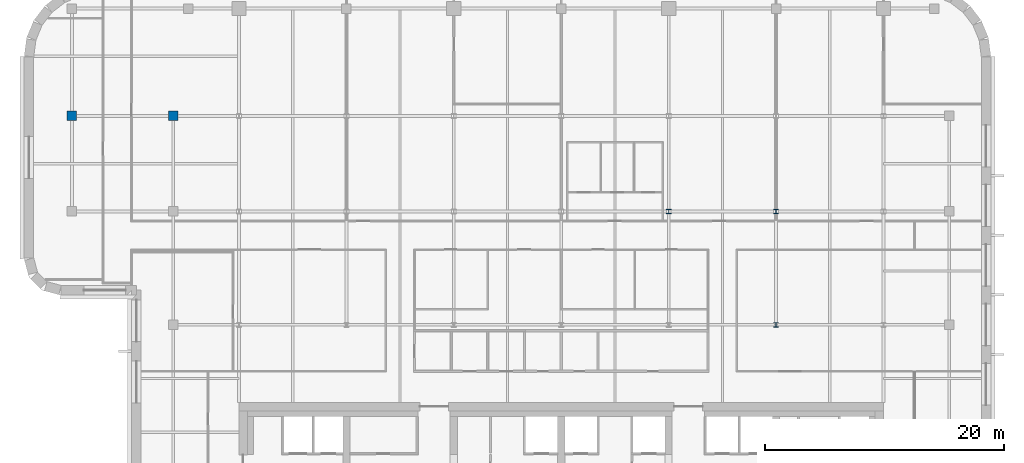
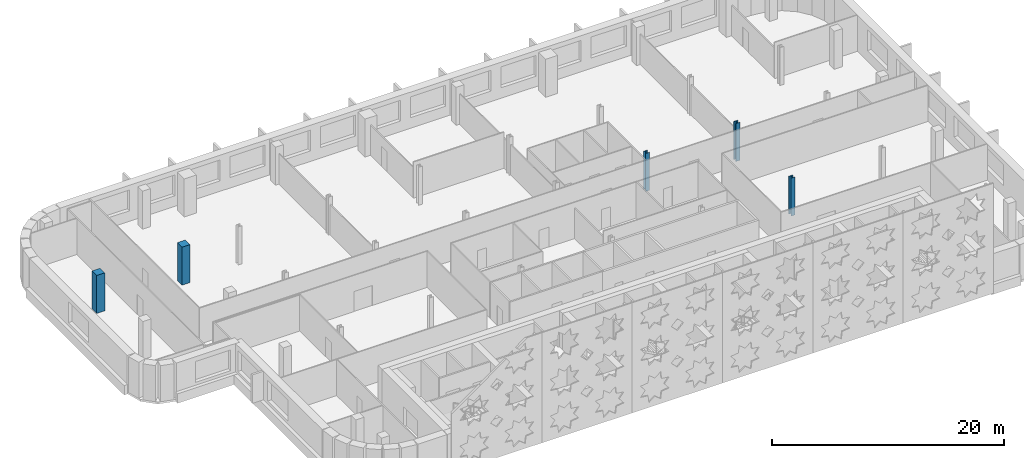
# One storey, part 2 of 17: 5 columns.
"""IFC4 building model written with IfcOpenShell, lengths in metres."""

from ifc_helpers import new_model, si_unit, direction, frame, origin, origin_2d, place, context, subcontext, project, spatial, rectangle, i_section, extrude, material, material_profile, profile_set, type_object, element, save


model = new_model("IFC4")

# Units and contexts
model_context = context("Model", 3, precision=1e-05, world=origin(), true_north=direction((0.0, 1.0)))
body_context = subcontext(model_context, "Body", "Model", "MODEL_VIEW")
ifc_project = project(units=[si_unit("LENGTHUNIT", "METRE"), si_unit("AREAUNIT", "SQUARE_METRE"), si_unit("VOLUMEUNIT", "CUBIC_METRE"), si_unit("PLANEANGLEUNIT", "RADIAN"), si_unit("MASSUNIT", "GRAM", prefix="KILO")], contexts=[model_context])

# Site, building, storey
site_placement = place(None, origin())
site = spatial("IfcSite", under=ifc_project, at=site_placement, CompositionType="ELEMENT")
building_placement = place(site_placement, origin())
building = spatial("IfcBuilding", under=site, at=building_placement, Name="Zellij Exchange Tower", CompositionType="ELEMENT")
storey_placement = place(building_placement, frame((0.0, 0.0, 252.5)))
storey = spatial("IfcBuildingStorey", under=building, at=storey_placement, Name="L59", CompositionType="ELEMENT", Elevation=252.5)

# Columns
ifc_material_1 = material(Name="Concrete C50/60", Category="concrete")
ifc_material_profile_1 = material_profile(ifc_material_1, rectangle(XDim=0.800048828125, YDim=0.800048828125, at=origin_2d()), Name="STR-COLUMN RC800x800 C50/60")
ifc_profile_set_1 = profile_set([ifc_material_profile_1], Name="Concrete C50/60")
column_type_1 = type_object("IfcColumnType", Name="STR-COLUMN RC800x800 C50/60", PredefinedType="COLUMN", material=ifc_profile_set_1)
for number, where, z_axis, x_axis, name in (
    (1, (-41.0, 22.0, 0.0), (0.0, 0.0, 1.0), (1.0, 0.0, 0.0), "C15"),
    (2, (-32.5, 22.0, 0.0), (0.0, 0.0, 1.0), (1.0, 0.0, 0.0), "C15"),
):
    element("IfcColumn", number, at=place(storey_placement, frame(where, z_axis=z_axis, x_axis=x_axis)), inside=storey, type_object=column_type_1, Name=name, PredefinedType="COLUMN", context=body_context, shape_type="SweptSolid", body=[
        extrude(rectangle(XDim=0.800048828125, YDim=0.800048828125, at=origin_2d()), origin(), (0.0, 0.0, 1.0), 4.0),
    ])
ifc_material_2 = material(Name="Structural steel ASTM A992 Gr 50", Category="steel")
ifc_material_profile_2 = material_profile(ifc_material_2, i_section(OverallWidth=0.398681640625, OverallDepth=0.385986328125, WebThickness=0.02099609375, FlangeThickness=0.033203125, at=origin_2d()), Name="W14x176")
ifc_profile_set_2 = profile_set([ifc_material_profile_2], Name="Structural steel ASTM A992 Gr 50")
column_type_2 = type_object("IfcColumnType", Name="STR-COLUMN W14x176", PredefinedType="COLUMN", material=ifc_profile_set_2)
for number, where, z_axis, x_axis, name in (
    (3, (18.0, 4.5, 0.0), (0.0, 0.0, 1.0), (1.0, 0.0, 0.0), "C2"),
    (4, (9.0, 14.0, 0.0), (0.0, 0.0, 1.0), (1.0, 0.0, 0.0), "C2"),
    (5, (18.0, 14.0, 0.0), (0.0, 0.0, 1.0), (1.0, 0.0, 0.0), "C2"),
):
    element("IfcColumn", number, at=place(storey_placement, frame(where, z_axis=z_axis, x_axis=x_axis)), inside=storey, type_object=column_type_2, Name=name, PredefinedType="COLUMN", context=body_context, shape_type="SweptSolid", body=[
        extrude(i_section(OverallWidth=0.398681640625, OverallDepth=0.385986328125, WebThickness=0.02099609375, FlangeThickness=0.033203125, at=origin_2d()), origin(), (0.0, 0.0, 1.0), 4.0),
    ])

save(model, "model.ifc")
